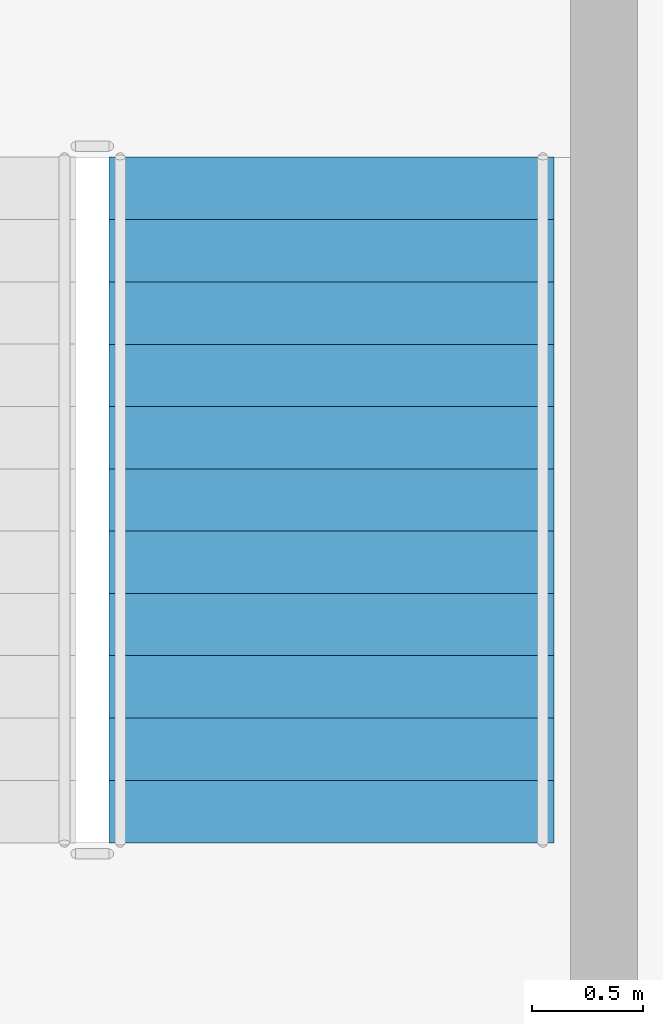
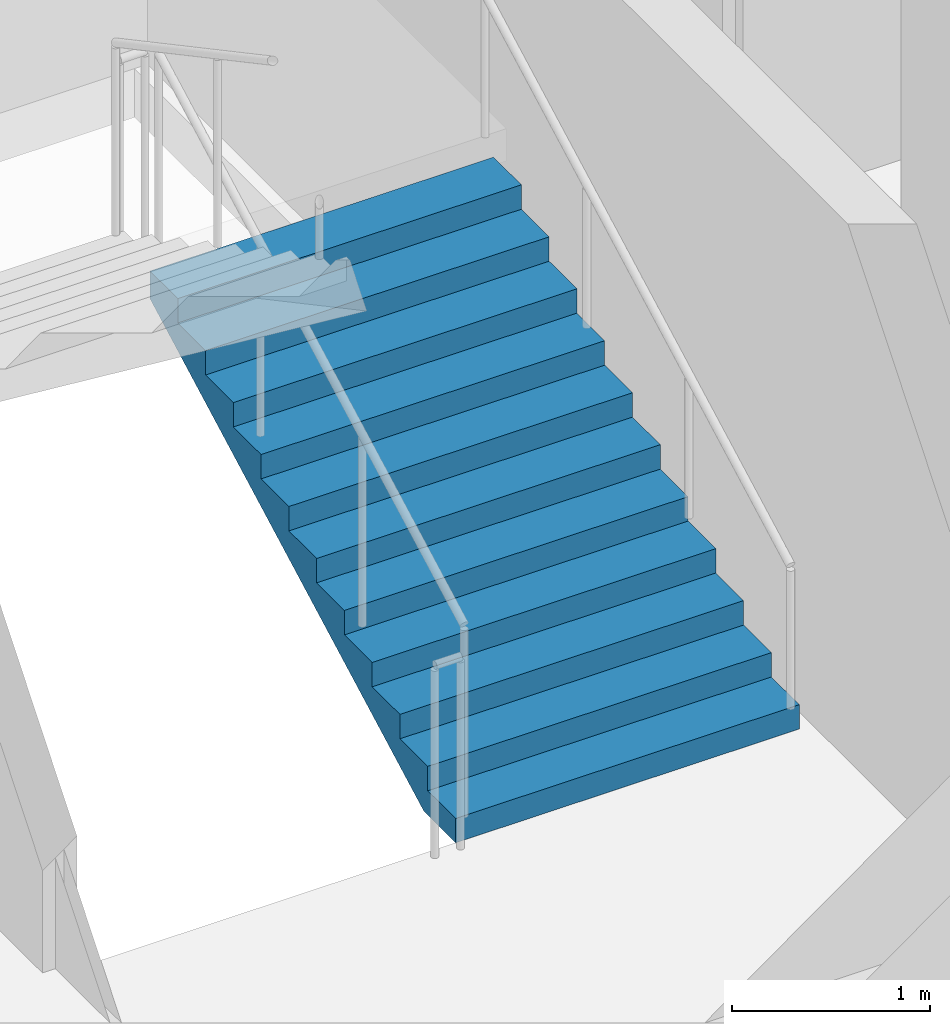
# One storey, part 14 of 21: 1 stair flight, 1 element without a shape of its own.
"""IFC4 building model written with IfcOpenShell, lengths in metres."""

from ifc_helpers import new_model, si_unit, direction, frame, origin, place, context, subcontext, project, spatial, polygons, material, type_object, element, aggregate, save


model = new_model("IFC4")

# Units and contexts
model_context = context("Model", 3, precision=1e-05, world=origin(), true_north=direction((0.0, 1.0)))
body_context = subcontext(model_context, "Body", "Model", "MODEL_VIEW")
ifc_project = project(units=[si_unit("LENGTHUNIT", "METRE"), si_unit("AREAUNIT", "SQUARE_METRE"), si_unit("VOLUMEUNIT", "CUBIC_METRE"), si_unit("PLANEANGLEUNIT", "RADIAN"), si_unit("MASSUNIT", "GRAM", prefix="KILO")], contexts=[model_context])

# Site, building, storey
site_placement = place(None, origin())
site = spatial("IfcSite", under=ifc_project, at=site_placement, CompositionType="ELEMENT")
building_placement = place(site_placement, origin())
building = spatial("IfcBuilding", under=site, at=building_placement, Name="Caravel Reach Hotel and Residences", CompositionType="ELEMENT")
storey_placement = place(building_placement, frame((0.0, 0.0, 129.60009765625)))
storey = spatial("IfcBuildingStorey", under=building, at=storey_placement, Name="L32", CompositionType="ELEMENT", Elevation=129.60009765625)

# Stair, stair flight
ifc_material_1 = material(Name="Concrete C40", Category="concrete")
stair_type = type_object("IfcStairType", Name="Core stair", PredefinedType="HALF_TURN_STAIR", material=ifc_material_1)
stair_placement = place(storey_placement, origin())
stair = element("IfcStair", 1, at=stair_placement, inside=storey, type_object=stair_type, Name="L32 Exit stair B", PredefinedType="HALF_TURN_STAIR")
ifc_material_2 = material(Name="Concrete C40", Category="concrete")
stair_flight_type = type_object("IfcStairFlightType", Name="Core stair flight", PredefinedType="STRAIGHT", material=ifc_material_2)
stair_flight_placement = place(storey_placement, frame((43.77490234375, 24.64990234375, 0.0), z_axis=(0.0, 0.0, 1.0), x_axis=(0.0, 1.0, 0.0)))
stair_flight = element("IfcStairFlight", 2, at=stair_flight_placement, type_object=stair_flight_type, Name="ST-B flight 1", NumberOfRisers=12, NumberOfTreads=11, PredefinedType="STRAIGHT", RiserHeight=0.15, TreadLength=0.28, context=body_context, shape_type="Tessellation", body=[
    polygons([(0.3174408016601862, 1.0, 0.0), (0.3174408016601862, 0.6666666666666667, 0.0), (0.3174408016601862, 0.33333333333333337, 0.0), (0.3174408016601862, 0.0, 0.0), (0.3174408016601862, -0.33333333333333326, 0.0), (0.3174408016601862, -0.6666666666666667, 0.0), (0.3174408016601862, -1.0, 0.0), (3.081, 1.0, 1.479942427682043), (3.081, 0.6666666666666667, 1.479942427682043), (3.081, 0.33333333333333337, 1.479942427682043), (3.081, 0.0, 1.479942427682043), (3.081, -0.33333333333333326, 1.479942427682043), (3.081, -0.6666666666666667, 1.479942427682043), (3.081, -1.0, 1.479942427682043), (3.081, 1.0, 1.65), (3.081, 0.6666666666666667, 1.65), (3.081, 0.33333333333333337, 1.65), (3.081, 0.0, 1.65), (3.081, -0.33333333333333326, 1.65), (3.081, -0.6666666666666667, 1.65), (3.081, -1.0, 1.65), (2.8000000000000003, 1.0, 1.65), (2.8000000000000003, 0.6666666666666667, 1.65), (2.8000000000000003, 0.33333333333333337, 1.65), (2.8000000000000003, 0.0, 1.65), (2.8000000000000003, -0.33333333333333326, 1.65), (2.8000000000000003, -0.6666666666666667, 1.65), (2.8000000000000003, -1.0, 1.65), (2.8000000000000003, 1.0, 1.5), (2.8000000000000003, 0.6666666666666667, 1.5), (2.8000000000000003, 0.33333333333333337, 1.5), (2.8000000000000003, 0.0, 1.5), (2.8000000000000003, -0.33333333333333326, 1.5), (2.8000000000000003, -0.6666666666666667, 1.5), (2.8000000000000003, -1.0, 1.5), (2.5200000000000005, 1.0, 1.5), (2.5200000000000005, 0.6666666666666667, 1.5), (2.5200000000000005, 0.33333333333333337, 1.5), (2.5200000000000005, 0.0, 1.5), (2.5200000000000005, -0.33333333333333326, 1.5), (2.5200000000000005, -0.6666666666666667, 1.5), (2.5200000000000005, -1.0, 1.5), (2.5200000000000005, 1.0, 1.3499999999999999), (2.5200000000000005, 0.6666666666666667, 1.3499999999999999), (2.5200000000000005, 0.33333333333333337, 1.3499999999999999), (2.5200000000000005, 0.0, 1.3499999999999999), (2.5200000000000005, -0.33333333333333326, 1.3499999999999999), (2.5200000000000005, -0.6666666666666667, 1.3499999999999999), (2.5200000000000005, -1.0, 1.3499999999999999), (2.24, 1.0, 1.3499999999999999), (2.24, 0.6666666666666667, 1.3499999999999999), (2.24, 0.33333333333333337, 1.3499999999999999), (2.24, 0.0, 1.3499999999999999), (2.24, -0.33333333333333326, 1.3499999999999999), (2.24, -0.6666666666666667, 1.3499999999999999), (2.24, -1.0, 1.3499999999999999), (2.24, 1.0, 1.2), (2.24, 0.6666666666666667, 1.2), (2.24, 0.33333333333333337, 1.2), (2.24, 0.0, 1.2), (2.24, -0.33333333333333326, 1.2), (2.24, -0.6666666666666667, 1.2), (2.24, -1.0, 1.2), (1.9600000000000002, 1.0, 1.2), (1.9600000000000002, 0.6666666666666667, 1.2), (1.9600000000000002, 0.33333333333333337, 1.2), (1.9600000000000002, 0.0, 1.2), (1.9600000000000002, -0.33333333333333326, 1.2), (1.9600000000000002, -0.6666666666666667, 1.2), (1.9600000000000002, -1.0, 1.2), (1.9600000000000002, 1.0, 1.05), (1.9600000000000002, 0.6666666666666667, 1.05), (1.9600000000000002, 0.33333333333333337, 1.05), (1.9600000000000002, 0.0, 1.05), (1.9600000000000002, -0.33333333333333326, 1.05), (1.9600000000000002, -0.6666666666666667, 1.05), (1.9600000000000002, -1.0, 1.05), (1.6800000000000002, 1.0, 1.05), (1.6800000000000002, 0.6666666666666667, 1.05), (1.6800000000000002, 0.33333333333333337, 1.05), (1.6800000000000002, 0.0, 1.05), (1.6800000000000002, -0.33333333333333326, 1.05), (1.6800000000000002, -0.6666666666666667, 1.05), (1.6800000000000002, -1.0, 1.05), (1.6800000000000002, 1.0, 0.8999999999999999), (1.6800000000000002, 0.6666666666666667, 0.8999999999999999), (1.6800000000000002, 0.33333333333333337, 0.8999999999999999), (1.6800000000000002, 0.0, 0.8999999999999999), (1.6800000000000002, -0.33333333333333326, 0.8999999999999999), (1.6800000000000002, -0.6666666666666667, 0.8999999999999999), (1.6800000000000002, -1.0, 0.8999999999999999), (1.4000000000000001, 1.0, 0.8999999999999999), (1.4000000000000001, 0.6666666666666667, 0.8999999999999999), (1.4000000000000001, 0.33333333333333337, 0.8999999999999999), (1.4000000000000001, 0.0, 0.8999999999999999), (1.4000000000000001, -0.33333333333333326, 0.8999999999999999), (1.4000000000000001, -0.6666666666666667, 0.8999999999999999), (1.4000000000000001, -1.0, 0.8999999999999999), (1.4000000000000001, 1.0, 0.75), (1.4000000000000001, 0.6666666666666667, 0.75), (1.4000000000000001, 0.33333333333333337, 0.75), (1.4000000000000001, 0.0, 0.75), (1.4000000000000001, -0.33333333333333326, 0.75), (1.4000000000000001, -0.6666666666666667, 0.75), (1.4000000000000001, -1.0, 0.75), (1.12, 1.0, 0.75), (1.12, 0.6666666666666667, 0.75), (1.12, 0.33333333333333337, 0.75), (1.12, 0.0, 0.75), (1.12, -0.33333333333333326, 0.75), (1.12, -0.6666666666666667, 0.75), (1.12, -1.0, 0.75), (1.12, 1.0, 0.6), (1.12, 0.6666666666666667, 0.6), (1.12, 0.33333333333333337, 0.6), (1.12, 0.0, 0.6), (1.12, -0.33333333333333326, 0.6), (1.12, -0.6666666666666667, 0.6), (1.12, -1.0, 0.6), (0.8400000000000001, 1.0, 0.6), (0.8400000000000001, 0.6666666666666667, 0.6), (0.8400000000000001, 0.33333333333333337, 0.6), (0.8400000000000001, 0.0, 0.6), (0.8400000000000001, -0.33333333333333326, 0.6), (0.8400000000000001, -0.6666666666666667, 0.6), (0.8400000000000001, -1.0, 0.6), (0.8400000000000001, 1.0, 0.44999999999999996), (0.8400000000000001, 0.6666666666666667, 0.44999999999999996), (0.8400000000000001, 0.33333333333333337, 0.44999999999999996), (0.8400000000000001, 0.0, 0.44999999999999996), (0.8400000000000001, -0.33333333333333326, 0.44999999999999996), (0.8400000000000001, -0.6666666666666667, 0.44999999999999996), (0.8400000000000001, -1.0, 0.44999999999999996), (0.56, 1.0, 0.44999999999999996), (0.56, 0.6666666666666667, 0.44999999999999996), (0.56, 0.33333333333333337, 0.44999999999999996), (0.56, 0.0, 0.44999999999999996), (0.56, -0.33333333333333326, 0.44999999999999996), (0.56, -0.6666666666666667, 0.44999999999999996), (0.56, -1.0, 0.44999999999999996), (0.56, 1.0, 0.3), (0.56, 0.6666666666666667, 0.3), (0.56, 0.33333333333333337, 0.3), (0.56, 0.0, 0.3), (0.56, -0.33333333333333326, 0.3), (0.56, -0.6666666666666667, 0.3), (0.56, -1.0, 0.3), (0.28, 1.0, 0.3), (0.28, 0.6666666666666667, 0.3), (0.28, 0.33333333333333337, 0.3), (0.28, 0.0, 0.3), (0.28, -0.33333333333333326, 0.3), (0.28, -0.6666666666666667, 0.3), (0.28, -1.0, 0.3), (0.28, 1.0, 0.15), (0.28, 0.6666666666666667, 0.15), (0.28, 0.33333333333333337, 0.15), (0.28, 0.0, 0.15), (0.28, -0.33333333333333326, 0.15), (0.28, -0.6666666666666667, 0.15), (0.28, -1.0, 0.15), (-0.001, 1.0, 0.15), (-0.001, 0.6666666666666667, 0.15), (-0.001, 0.33333333333333337, 0.15), (-0.001, 0.0, 0.15), (-0.001, -0.33333333333333326, 0.15), (-0.001, -0.6666666666666667, 0.15), (-0.001, -1.0, 0.15), (-0.001, 1.0, 0.0), (-0.001, 0.6666666666666667, 0.0), (-0.001, 0.33333333333333337, 0.0), (-0.001, 0.0, 0.0), (-0.001, -0.33333333333333326, 0.0), (-0.001, -0.6666666666666667, 0.0), (-0.001, -1.0, 0.0)], [[[169, 162, 155, 148, 141, 134, 127, 120, 113, 106, 99, 92, 85, 78, 71, 64, 57, 50, 43, 36, 29, 22, 15, 8, 1]], [[7, 14, 21, 28, 35, 42, 49, 56, 63, 70, 77, 84, 91, 98, 105, 112, 119, 126, 133, 140, 147, 154, 161, 168, 175]], [[1, 8, 9, 2]], [[2, 9, 10, 3]], [[3, 10, 11, 4]], [[4, 11, 12, 5]], [[5, 12, 13, 6]], [[6, 13, 14, 7]], [[8, 15, 16, 9]], [[9, 16, 17, 10]], [[10, 17, 18, 11]], [[11, 18, 19, 12]], [[12, 19, 20, 13]], [[13, 20, 21, 14]], [[15, 22, 23, 16]], [[16, 23, 24, 17]], [[17, 24, 25, 18]], [[18, 25, 26, 19]], [[19, 26, 27, 20]], [[20, 27, 28, 21]], [[22, 29, 30, 23]], [[23, 30, 31, 24]], [[24, 31, 32, 25]], [[25, 32, 33, 26]], [[26, 33, 34, 27]], [[27, 34, 35, 28]], [[29, 36, 37, 30]], [[30, 37, 38, 31]], [[31, 38, 39, 32]], [[32, 39, 40, 33]], [[33, 40, 41, 34]], [[34, 41, 42, 35]], [[36, 43, 44, 37]], [[37, 44, 45, 38]], [[38, 45, 46, 39]], [[39, 46, 47, 40]], [[40, 47, 48, 41]], [[41, 48, 49, 42]], [[43, 50, 51, 44]], [[44, 51, 52, 45]], [[45, 52, 53, 46]], [[46, 53, 54, 47]], [[47, 54, 55, 48]], [[48, 55, 56, 49]], [[50, 57, 58, 51]], [[51, 58, 59, 52]], [[52, 59, 60, 53]], [[53, 60, 61, 54]], [[54, 61, 62, 55]], [[55, 62, 63, 56]], [[57, 64, 65, 58]], [[58, 65, 66, 59]], [[59, 66, 67, 60]], [[60, 67, 68, 61]], [[61, 68, 69, 62]], [[62, 69, 70, 63]], [[64, 71, 72, 65]], [[65, 72, 73, 66]], [[66, 73, 74, 67]], [[67, 74, 75, 68]], [[68, 75, 76, 69]], [[69, 76, 77, 70]], [[71, 78, 79, 72]], [[72, 79, 80, 73]], [[73, 80, 81, 74]], [[74, 81, 82, 75]], [[75, 82, 83, 76]], [[76, 83, 84, 77]], [[78, 85, 86, 79]], [[79, 86, 87, 80]], [[80, 87, 88, 81]], [[81, 88, 89, 82]], [[82, 89, 90, 83]], [[83, 90, 91, 84]], [[85, 92, 93, 86]], [[86, 93, 94, 87]], [[87, 94, 95, 88]], [[88, 95, 96, 89]], [[89, 96, 97, 90]], [[90, 97, 98, 91]], [[92, 99, 100, 93]], [[93, 100, 101, 94]], [[94, 101, 102, 95]], [[95, 102, 103, 96]], [[96, 103, 104, 97]], [[97, 104, 105, 98]], [[99, 106, 107, 100]], [[100, 107, 108, 101]], [[101, 108, 109, 102]], [[102, 109, 110, 103]], [[103, 110, 111, 104]], [[104, 111, 112, 105]], [[106, 113, 114, 107]], [[107, 114, 115, 108]], [[108, 115, 116, 109]], [[109, 116, 117, 110]], [[110, 117, 118, 111]], [[111, 118, 119, 112]], [[113, 120, 121, 114]], [[114, 121, 122, 115]], [[115, 122, 123, 116]], [[116, 123, 124, 117]], [[117, 124, 125, 118]], [[118, 125, 126, 119]], [[120, 127, 128, 121]], [[121, 128, 129, 122]], [[122, 129, 130, 123]], [[123, 130, 131, 124]], [[124, 131, 132, 125]], [[125, 132, 133, 126]], [[127, 134, 135, 128]], [[128, 135, 136, 129]], [[129, 136, 137, 130]], [[130, 137, 138, 131]], [[131, 138, 139, 132]], [[132, 139, 140, 133]], [[134, 141, 142, 135]], [[135, 142, 143, 136]], [[136, 143, 144, 137]], [[137, 144, 145, 138]], [[138, 145, 146, 139]], [[139, 146, 147, 140]], [[141, 148, 149, 142]], [[142, 149, 150, 143]], [[143, 150, 151, 144]], [[144, 151, 152, 145]], [[145, 152, 153, 146]], [[146, 153, 154, 147]], [[148, 155, 156, 149]], [[149, 156, 157, 150]], [[150, 157, 158, 151]], [[151, 158, 159, 152]], [[152, 159, 160, 153]], [[153, 160, 161, 154]], [[155, 162, 163, 156]], [[156, 163, 164, 157]], [[157, 164, 165, 158]], [[158, 165, 166, 159]], [[159, 166, 167, 160]], [[160, 167, 168, 161]], [[162, 169, 170, 163]], [[163, 170, 171, 164]], [[164, 171, 172, 165]], [[165, 172, 173, 166]], [[166, 173, 174, 167]], [[167, 174, 175, 168]], [[169, 1, 2, 170]], [[170, 2, 3, 171]], [[171, 3, 4, 172]], [[172, 4, 5, 173]], [[173, 5, 6, 174]], [[174, 6, 7, 175]]], closed=True),
])
aggregate(stair, [stair_flight])

save(model, "model.ifc")
